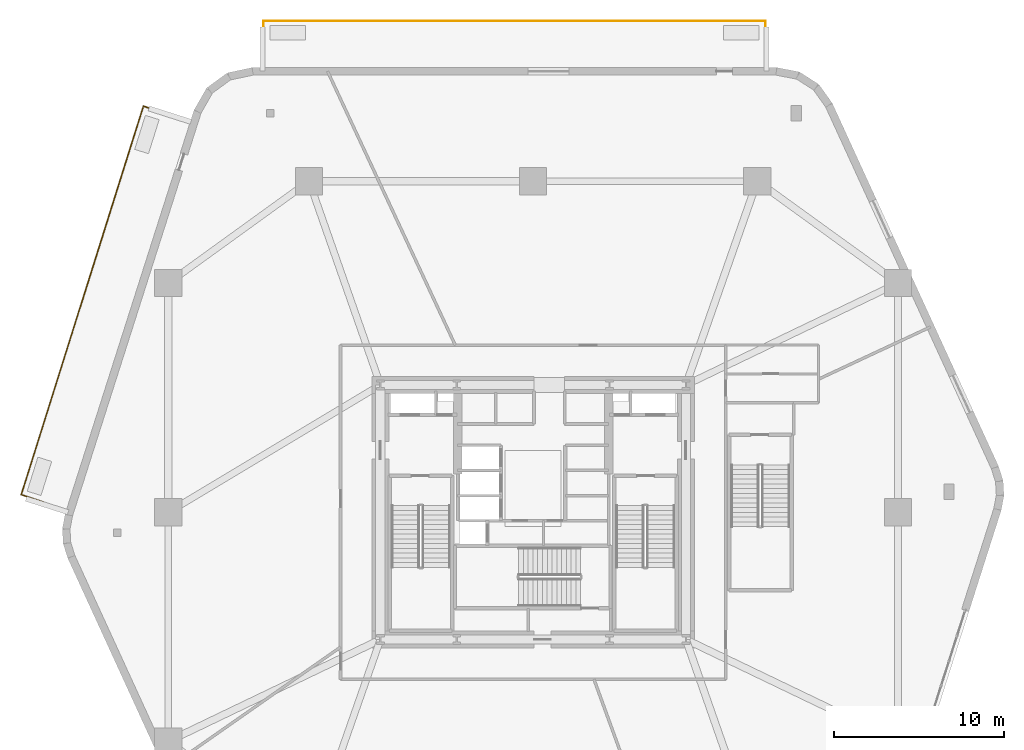
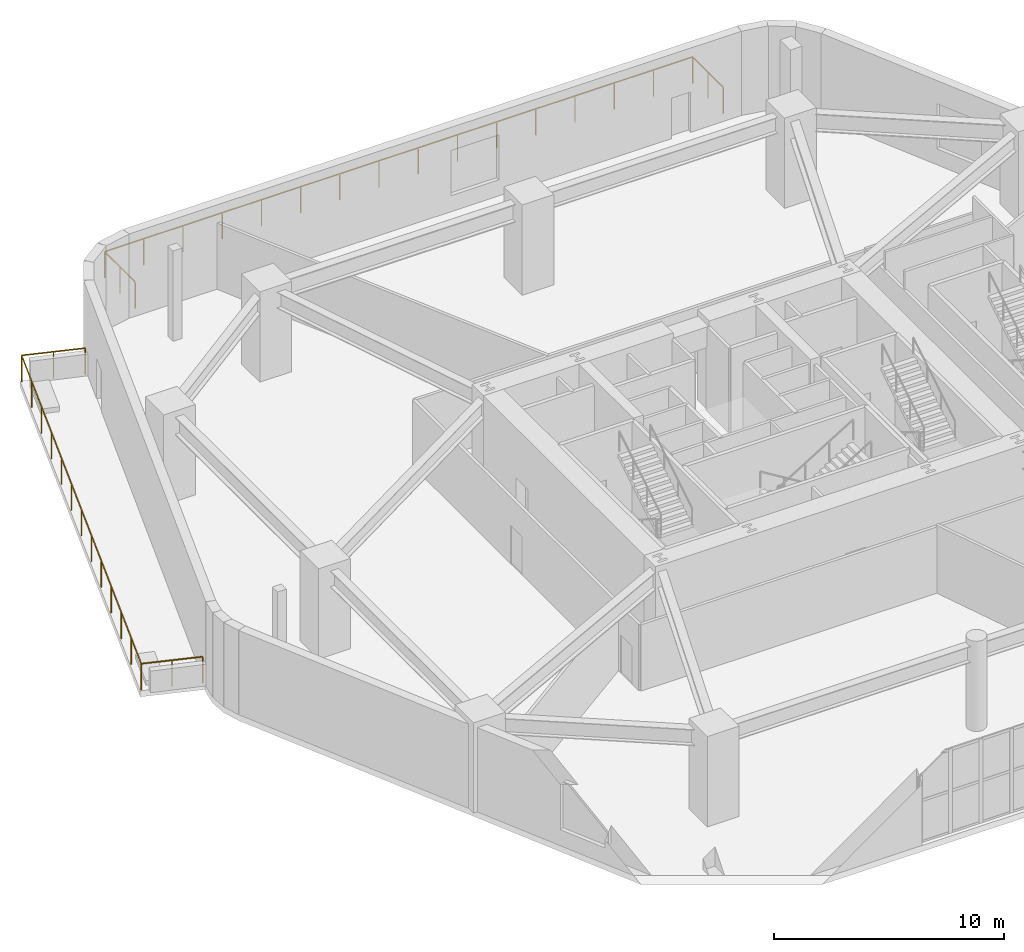
# One storey, part 15 of 15: 2 railings.
"""IFC4 building model written with IfcOpenShell, lengths in metres."""

from ifc_helpers import new_model, si_unit, direction, frame, origin, origin_2d, place, context, subcontext, project, spatial, rectangle, extrude, material, layer, layer_set, type_object, element, save


model = new_model("IFC4")

# Units and contexts
model_context = context("Model", 3, precision=1e-05, world=origin(), true_north=direction((0.0, 1.0)))
body_context = subcontext(model_context, "Body", "Model", "MODEL_VIEW")
ifc_project = project(units=[si_unit("LENGTHUNIT", "METRE"), si_unit("AREAUNIT", "SQUARE_METRE"), si_unit("VOLUMEUNIT", "CUBIC_METRE"), si_unit("PLANEANGLEUNIT", "RADIAN"), si_unit("MASSUNIT", "GRAM", prefix="KILO")], contexts=[model_context])

# Site, building, storey
site_placement = place(None, origin())
site = spatial("IfcSite", under=ifc_project, at=site_placement, CompositionType="ELEMENT")
building_placement = place(site_placement, origin())
building = spatial("IfcBuilding", under=site, at=building_placement, Name="Kilnhurst Terrace Hotel", CompositionType="ELEMENT")
storey_placement = place(building_placement, frame((0.0, 0.0, 23.39990234375)))
storey = spatial("IfcBuildingStorey", under=building, at=storey_placement, Name="L04", CompositionType="ELEMENT", Elevation=23.39990234375)

# Railings
ifc_material = material(Name="Laminated SentryGlas and Stainless Steel AISI 316L Balustrade", Category="steel")
ifc_layer = layer(ifc_material, 0.070068359375, Name="Laminated SentryGlas and Stainless Steel AISI 316L Balustrade")
ifc_layer_set = layer_set([ifc_layer], Name="Laminated SentryGlas and Stainless Steel AISI 316L Balustrade")
railing_type = type_object("IfcRailingType", Name="RLG-BAL-1420", PredefinedType="BALUSTRADE", material=ifc_layer_set)
railing_1_placement = place(storey_placement, frame((-15.889892578125, 26.280029296875, 0.0)))
element("IfcRailing", 1, at=railing_1_placement, inside=storey, type_object=railing_type, Name="L04 Exterior Terrace Guardrail TERR-1.1", PredefinedType="BALUSTRADE", context=body_context, shape_type="SweptSolid", body=[
    extrude(rectangle(XDim=0.048095703125, YDim=0.048095703125, at=origin_2d()), frame((0.0, 0.0, 1.39599609375), z_axis=(0.0, 1.0, 0.0), x_axis=(-1.0, 0.0, 0.0)), (0.0, 0.0, 1.0), 2.659912109375),
    extrude(rectangle(XDim=0.048095703125, YDim=0.048095703125, at=origin_2d()), frame((0.0, 2.659912109375, 1.39599609375), z_axis=(1.0, 0.0, 0.0), x_axis=(0.0, 1.0, 0.0)), (0.0, 0.0, 1.0), 29.5791015625),
    extrude(rectangle(XDim=0.048095703125, YDim=0.048095703125, at=origin_2d()), frame((29.5791015625, 2.659912109375, 1.39599609375), z_axis=(0.0, -1.0, 0.0), x_axis=(1.0, 0.0, 0.0)), (0.0, 0.0, 1.0), 2.659912109375),
    extrude(rectangle(XDim=0.0419921875, YDim=0.0419921875, at=origin_2d()), origin(), (0.0, 0.0, 1.0), 1.371826171875),
    extrude(rectangle(XDim=0.0419921875, YDim=0.0419921875, at=origin_2d()), frame((0.0, 1.330078125, 0.0)), (0.0, 0.0, 1.0), 1.371826171875),
    extrude(rectangle(XDim=0.0419921875, YDim=0.0419921875, at=origin_2d()), frame((0.0, 2.659912109375, 0.0)), (0.0, 0.0, 1.0), 1.371826171875),
    extrude(rectangle(XDim=0.0419921875, YDim=0.0419921875, at=origin_2d()), frame((1.971923828125, 2.659912109375, 0.0)), (0.0, 0.0, 1.0), 1.371826171875),
    extrude(rectangle(XDim=0.0419921875, YDim=0.0419921875, at=origin_2d()), frame((3.94384765625, 2.659912109375, 0.0)), (0.0, 0.0, 1.0), 1.371826171875),
    extrude(rectangle(XDim=0.0419921875, YDim=0.0419921875, at=origin_2d()), frame((5.915771484375, 2.659912109375, 0.0)), (0.0, 0.0, 1.0), 1.371826171875),
    extrude(rectangle(XDim=0.0419921875, YDim=0.0419921875, at=origin_2d()), frame((7.8876953125, 2.659912109375, 0.0)), (0.0, 0.0, 1.0), 1.371826171875),
    extrude(rectangle(XDim=0.0419921875, YDim=0.0419921875, at=origin_2d()), frame((9.859619140625, 2.659912109375, 0.0)), (0.0, 0.0, 1.0), 1.371826171875),
    extrude(rectangle(XDim=0.0419921875, YDim=0.0419921875, at=origin_2d()), frame((11.83154296875, 2.659912109375, 0.0)), (0.0, 0.0, 1.0), 1.371826171875),
    extrude(rectangle(XDim=0.0419921875, YDim=0.0419921875, at=origin_2d()), frame((13.803466796875, 2.659912109375, 0.0)), (0.0, 0.0, 1.0), 1.371826171875),
    extrude(rectangle(XDim=0.0419921875, YDim=0.0419921875, at=origin_2d()), frame((15.775634765625, 2.659912109375, 0.0)), (0.0, 0.0, 1.0), 1.371826171875),
    extrude(rectangle(XDim=0.0419921875, YDim=0.0419921875, at=origin_2d()), frame((17.74755859375, 2.659912109375, 0.0)), (0.0, 0.0, 1.0), 1.371826171875),
    extrude(rectangle(XDim=0.0419921875, YDim=0.0419921875, at=origin_2d()), frame((19.719482421875, 2.659912109375, 0.0)), (0.0, 0.0, 1.0), 1.371826171875),
    extrude(rectangle(XDim=0.0419921875, YDim=0.0419921875, at=origin_2d()), frame((21.69140625, 2.659912109375, 0.0)), (0.0, 0.0, 1.0), 1.371826171875),
    extrude(rectangle(XDim=0.0419921875, YDim=0.0419921875, at=origin_2d()), frame((23.663330078125, 2.659912109375, 0.0)), (0.0, 0.0, 1.0), 1.371826171875),
    extrude(rectangle(XDim=0.0419921875, YDim=0.0419921875, at=origin_2d()), frame((25.63525390625, 2.659912109375, 0.0)), (0.0, 0.0, 1.0), 1.371826171875),
    extrude(rectangle(XDim=0.0419921875, YDim=0.0419921875, at=origin_2d()), frame((27.607177734375, 2.659912109375, 0.0)), (0.0, 0.0, 1.0), 1.371826171875),
    extrude(rectangle(XDim=0.0419921875, YDim=0.0419921875, at=origin_2d()), frame((29.5791015625, 2.659912109375, 0.0)), (0.0, 0.0, 1.0), 1.371826171875),
    extrude(rectangle(XDim=0.0419921875, YDim=0.0419921875, at=origin_2d()), frame((29.5791015625, 1.330078125, 0.0)), (0.0, 0.0, 1.0), 1.371826171875),
    extrude(rectangle(XDim=0.0419921875, YDim=0.0419921875, at=origin_2d()), frame((29.5791015625, 0.0, 0.0)), (0.0, 0.0, 1.0), 1.371826171875),
])
railing_2_placement = place(storey_placement, frame((-27.572998046875, 0.16015625, 0.0)))
element("IfcRailing", 2, at=railing_2_placement, inside=storey, type_object=railing_type, Name="L04 Exterior Terrace Guardrail TERR-2.1", PredefinedType="BALUSTRADE", context=body_context, shape_type="SweptSolid", body=[
    extrude(rectangle(XDim=0.048095703125, YDim=0.048095703125, at=origin_2d()), frame((0.0, 0.0, 1.39599609375), z_axis=(-0.946898026254, 0.32153402289, 0.0), x_axis=(-0.32153402289, -0.946898026254, 0.0)), (0.0, 0.0, 1.0), 2.73046875),
    extrude(rectangle(XDim=0.048095703125, YDim=0.048095703125, at=origin_2d()), frame((-2.58544921875, 0.8779296875, 1.39599609375), z_axis=(0.299967108458, 0.953949544705, 0.0), x_axis=(-0.953949544705, 0.299967108458, 0.0)), (0.0, 0.0, 1.0), 23.990234375),
    extrude(rectangle(XDim=0.048095703125, YDim=0.048095703125, at=origin_2d()), frame((4.61083984375, 23.763427734375, 1.39599609375), z_axis=(0.946900906686, -0.321525540069, 0.0), x_axis=(0.321525540069, 0.946900906686, 0.0)), (0.0, 0.0, 1.0), 2.83154296875),
    extrude(rectangle(XDim=0.0419921875, YDim=0.0419921875, at=origin_2d()), origin(), (0.0, 0.0, 1.0), 1.371826171875),
    extrude(rectangle(XDim=0.0419921875, YDim=0.0419921875, at=origin_2d()), frame((-1.292724609375, 0.43896484375, 0.0)), (0.0, 0.0, 1.0), 1.371826171875),
    extrude(rectangle(XDim=0.0419921875, YDim=0.0419921875, at=origin_2d()), frame((-2.58544921875, 0.8779296875, 0.0)), (0.0, 0.0, 1.0), 1.371826171875),
    extrude(rectangle(XDim=0.0419921875, YDim=0.0419921875, at=origin_2d()), frame((-1.98583984375, 2.78515625, 0.0)), (0.0, 0.0, 1.0), 1.371826171875),
    extrude(rectangle(XDim=0.0419921875, YDim=0.0419921875, at=origin_2d()), frame((-1.385986328125, 4.692138671875, 0.0)), (0.0, 0.0, 1.0), 1.371826171875),
    extrude(rectangle(XDim=0.0419921875, YDim=0.0419921875, at=origin_2d()), frame((-0.786376953125, 6.599365234375, 0.0)), (0.0, 0.0, 1.0), 1.371826171875),
    extrude(rectangle(XDim=0.0419921875, YDim=0.0419921875, at=origin_2d()), frame((-0.186767578125, 8.50634765625, 0.0)), (0.0, 0.0, 1.0), 1.371826171875),
    extrude(rectangle(XDim=0.0419921875, YDim=0.0419921875, at=origin_2d()), frame((0.4130859375, 10.41357421875, 0.0)), (0.0, 0.0, 1.0), 1.371826171875),
    extrude(rectangle(XDim=0.0419921875, YDim=0.0419921875, at=origin_2d()), frame((1.0126953125, 12.32080078125, 0.0)), (0.0, 0.0, 1.0), 1.371826171875),
    extrude(rectangle(XDim=0.0419921875, YDim=0.0419921875, at=origin_2d()), frame((1.6123046875, 14.227783203125, 0.0)), (0.0, 0.0, 1.0), 1.371826171875),
    extrude(rectangle(XDim=0.0419921875, YDim=0.0419921875, at=origin_2d()), frame((2.212158203125, 16.135009765625, 0.0)), (0.0, 0.0, 1.0), 1.371826171875),
    extrude(rectangle(XDim=0.0419921875, YDim=0.0419921875, at=origin_2d()), frame((2.811767578125, 18.0419921875, 0.0)), (0.0, 0.0, 1.0), 1.371826171875),
    extrude(rectangle(XDim=0.0419921875, YDim=0.0419921875, at=origin_2d()), frame((3.411376953125, 19.94921875, 0.0)), (0.0, 0.0, 1.0), 1.371826171875),
    extrude(rectangle(XDim=0.0419921875, YDim=0.0419921875, at=origin_2d()), frame((4.01123046875, 21.856201171875, 0.0)), (0.0, 0.0, 1.0), 1.371826171875),
    extrude(rectangle(XDim=0.0419921875, YDim=0.0419921875, at=origin_2d()), frame((4.61083984375, 23.763427734375, 0.0)), (0.0, 0.0, 1.0), 1.371826171875),
    extrude(rectangle(XDim=0.0419921875, YDim=0.0419921875, at=origin_2d()), frame((5.951416015625, 23.30810546875, 0.0)), (0.0, 0.0, 1.0), 1.371826171875),
    extrude(rectangle(XDim=0.0419921875, YDim=0.0419921875, at=origin_2d()), frame((7.2919921875, 22.85302734375, 0.0)), (0.0, 0.0, 1.0), 1.371826171875),
])

save(model, "model.ifc")
